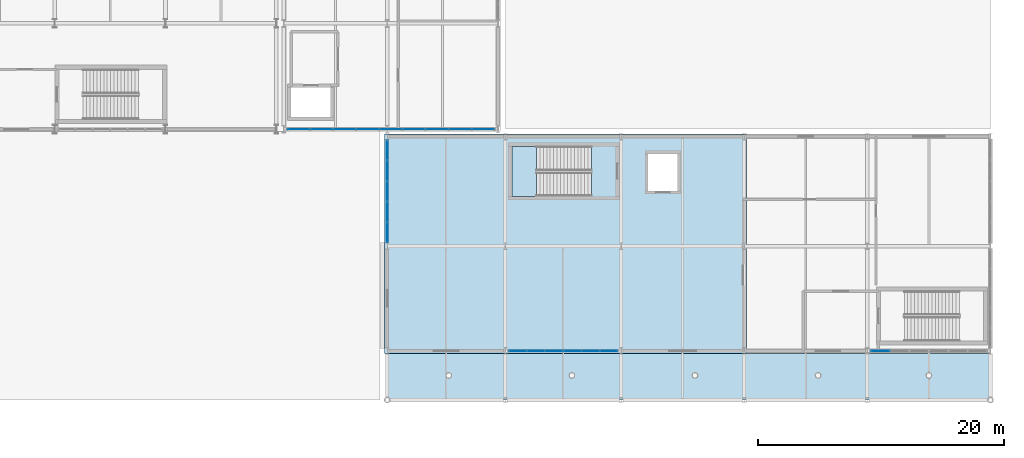
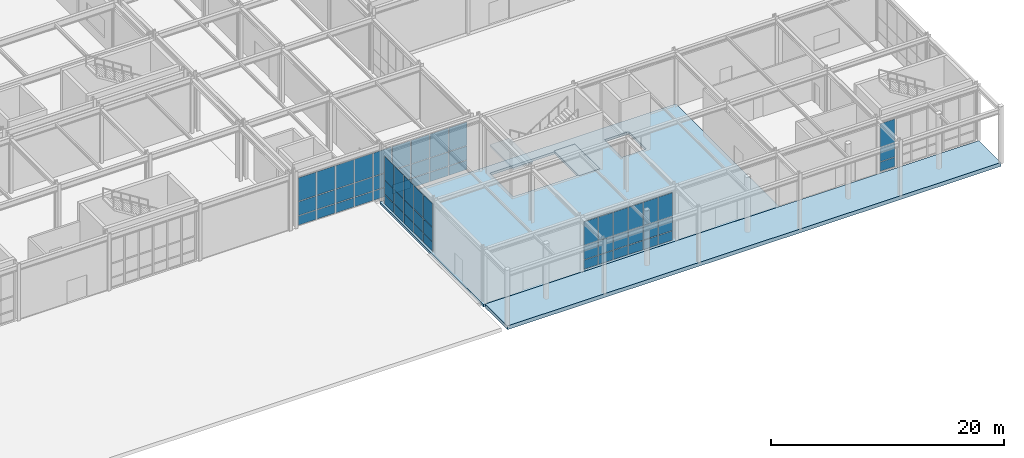
# One storey, part 111 of 146: 63 plates, 4 slabs, 5 elements without a shape of their own.
"""IFC4 building model written with IfcOpenShell, lengths in metres."""

from ifc_helpers import new_model, si_unit, direction, frame, origin, origin_2d, place, context, subcontext, project, spatial, polyline, rectangle, outline, extrude, material, layer, layer_set, type_object, element, aggregate, save


model = new_model("IFC4")

# Units and contexts
model_context = context("Model", 3, precision=1e-05, world=origin(), true_north=direction((0.0, 1.0)))
body_context = subcontext(model_context, "Body", "Model", "MODEL_VIEW")
ifc_project = project(units=[si_unit("LENGTHUNIT", "METRE"), si_unit("AREAUNIT", "SQUARE_METRE"), si_unit("VOLUMEUNIT", "CUBIC_METRE"), si_unit("PLANEANGLEUNIT", "RADIAN"), si_unit("MASSUNIT", "GRAM", prefix="KILO")], contexts=[model_context])

# Site, building, storey
site_placement = place(None, origin())
site = spatial("IfcSite", under=ifc_project, at=site_placement, CompositionType="ELEMENT")
building_placement = place(site_placement, origin())
building = spatial("IfcBuilding", under=site, at=building_placement, Name="Kaldris Quays Convention Centre", CompositionType="ELEMENT")
storey_placement = place(building_placement, origin())
storey = spatial("IfcBuildingStorey", under=building, at=storey_placement, Name="L00", CompositionType="ELEMENT", Elevation=0.0)

# Curtain wall, plates
ifc_material_1 = material(Name="Anodized aluminium AW-6060 and triple glazing", Category="aluminium")
curtain_wall_type_1 = type_object("IfcCurtainWallType", Name="UNITISED CURTAIN WALL CW05", PredefinedType="NOTDEFINED", material=ifc_material_1)
curtain_wall_1_placement = place(storey_placement, origin())
curtain_wall_1 = element("IfcCurtainWall", 1, at=curtain_wall_1_placement, inside=storey, type_object=curtain_wall_type_1, Name="L00 Unitised Curtain Wall CW05 137", PredefinedType="NOTDEFINED")
ifc_material_2 = material(Name="Triple low-E insulated glazing", Category="glass")
plate_type_1 = type_object("IfcPlateType", Name="CURTAIN GLAZING PANEL CWP1", PredefinedType="CURTAIN_PANEL", material=ifc_material_2)
plate_1_placement = place(storey_placement, frame((147.803955078125, 38.0, 0.06005859375), z_axis=(0.0, 0.0, 1.0), x_axis=(1.0, 0.0, 0.0)))
plate_1 = element("IfcPlate", 2, at=plate_1_placement, type_object=plate_type_1, Name="CW05 panel 1.1", PredefinedType="CURTAIN_PANEL", context=body_context, shape_type="SweptSolid", body=[
    extrude(rectangle(XDim=1.787841796875, YDim=0.029052734375, at=origin_2d()), origin(), (0.0, 0.0, 1.0), 0.9599609375),
])
plate_2_placement = place(storey_placement, frame((147.803955078125, 38.0, 1.080078125), z_axis=(0.0, 0.0, 1.0), x_axis=(1.0, 0.0, 0.0)))
plate_2 = element("IfcPlate", 3, at=plate_2_placement, type_object=plate_type_1, Name="CW05 panel 1.2", PredefinedType="CURTAIN_PANEL", context=body_context, shape_type="SweptSolid", body=[
    extrude(rectangle(XDim=1.787841796875, YDim=0.029052734375, at=origin_2d()), origin(), (0.0, 0.0, 1.0), 1.43896484375),
])
plate_3_placement = place(storey_placement, frame((147.803955078125, 38.0, 2.5791015625), z_axis=(0.0, 0.0, 1.0), x_axis=(1.0, 0.0, 0.0)))
plate_3 = element("IfcPlate", 4, at=plate_3_placement, type_object=plate_type_1, Name="CW05 panel 1.3", PredefinedType="CURTAIN_PANEL", context=body_context, shape_type="SweptSolid", body=[
    extrude(rectangle(XDim=1.787841796875, YDim=0.029052734375, at=origin_2d()), origin(), (0.0, 0.0, 1.0), 2.458984375),
])
plate_4_placement = place(storey_placement, frame((149.666748046875, 38.0, 0.06005859375), z_axis=(0.0, 0.0, 1.0), x_axis=(1.0, 0.0, 0.0)))
plate_4 = element("IfcPlate", 5, at=plate_4_placement, type_object=plate_type_1, Name="CW05 panel 2.1", PredefinedType="CURTAIN_PANEL", context=body_context, shape_type="SweptSolid", body=[
    extrude(rectangle(XDim=1.81787109375, YDim=0.029052734375, at=origin_2d()), origin(), (0.0, 0.0, 1.0), 0.9599609375),
])
plate_5_placement = place(storey_placement, frame((149.666748046875, 38.0, 1.080078125), z_axis=(0.0, 0.0, 1.0), x_axis=(1.0, 0.0, 0.0)))
plate_5 = element("IfcPlate", 6, at=plate_5_placement, type_object=plate_type_1, Name="CW05 panel 2.2", PredefinedType="CURTAIN_PANEL", context=body_context, shape_type="SweptSolid", body=[
    extrude(rectangle(XDim=1.81787109375, YDim=0.029052734375, at=origin_2d()), origin(), (0.0, 0.0, 1.0), 1.43896484375),
])
plate_6_placement = place(storey_placement, frame((149.666748046875, 38.0, 2.5791015625), z_axis=(0.0, 0.0, 1.0), x_axis=(1.0, 0.0, 0.0)))
plate_6 = element("IfcPlate", 7, at=plate_6_placement, type_object=plate_type_1, Name="CW05 panel 2.3", PredefinedType="CURTAIN_PANEL", context=body_context, shape_type="SweptSolid", body=[
    extrude(rectangle(XDim=1.81787109375, YDim=0.029052734375, at=origin_2d()), origin(), (0.0, 0.0, 1.0), 2.458984375),
])
plate_7_placement = place(storey_placement, frame((151.54443359375, 38.0, 0.06005859375), z_axis=(0.0, 0.0, 1.0), x_axis=(1.0, 0.0, 0.0)))
plate_7 = element("IfcPlate", 8, at=plate_7_placement, type_object=plate_type_1, Name="CW05 panel 3.1", PredefinedType="CURTAIN_PANEL", context=body_context, shape_type="SweptSolid", body=[
    extrude(rectangle(XDim=1.81787109375, YDim=0.029052734375, at=origin_2d()), origin(), (0.0, 0.0, 1.0), 0.9599609375),
])
plate_8_placement = place(storey_placement, frame((151.54443359375, 38.0, 1.080078125), z_axis=(0.0, 0.0, 1.0), x_axis=(1.0, 0.0, 0.0)))
plate_8 = element("IfcPlate", 9, at=plate_8_placement, type_object=plate_type_1, Name="CW05 panel 3.2", PredefinedType="CURTAIN_PANEL", context=body_context, shape_type="SweptSolid", body=[
    extrude(rectangle(XDim=1.81787109375, YDim=0.029052734375, at=origin_2d()), origin(), (0.0, 0.0, 1.0), 1.43896484375),
])
plate_9_placement = place(storey_placement, frame((151.54443359375, 38.0, 2.5791015625), z_axis=(0.0, 0.0, 1.0), x_axis=(1.0, 0.0, 0.0)))
plate_9 = element("IfcPlate", 10, at=plate_9_placement, type_object=plate_type_1, Name="CW05 panel 3.3", PredefinedType="CURTAIN_PANEL", context=body_context, shape_type="SweptSolid", body=[
    extrude(rectangle(XDim=1.81787109375, YDim=0.029052734375, at=origin_2d()), origin(), (0.0, 0.0, 1.0), 2.458984375),
])
plate_10_placement = place(storey_placement, frame((153.422119140625, 38.0, 0.06005859375), z_axis=(0.0, 0.0, 1.0), x_axis=(1.0, 0.0, 0.0)))
plate_10 = element("IfcPlate", 11, at=plate_10_placement, type_object=plate_type_1, Name="CW05 panel 4.1", PredefinedType="CURTAIN_PANEL", context=body_context, shape_type="SweptSolid", body=[
    extrude(rectangle(XDim=1.81787109375, YDim=0.029052734375, at=origin_2d()), origin(), (0.0, 0.0, 1.0), 0.9599609375),
])
plate_11_placement = place(storey_placement, frame((153.422119140625, 38.0, 1.080078125), z_axis=(0.0, 0.0, 1.0), x_axis=(1.0, 0.0, 0.0)))
plate_11 = element("IfcPlate", 12, at=plate_11_placement, type_object=plate_type_1, Name="CW05 panel 4.2", PredefinedType="CURTAIN_PANEL", context=body_context, shape_type="SweptSolid", body=[
    extrude(rectangle(XDim=1.81787109375, YDim=0.029052734375, at=origin_2d()), origin(), (0.0, 0.0, 1.0), 1.43896484375),
])
plate_12_placement = place(storey_placement, frame((153.422119140625, 38.0, 2.5791015625), z_axis=(0.0, 0.0, 1.0), x_axis=(1.0, 0.0, 0.0)))
plate_12 = element("IfcPlate", 13, at=plate_12_placement, type_object=plate_type_1, Name="CW05 panel 4.3", PredefinedType="CURTAIN_PANEL", context=body_context, shape_type="SweptSolid", body=[
    extrude(rectangle(XDim=1.81787109375, YDim=0.029052734375, at=origin_2d()), origin(), (0.0, 0.0, 1.0), 2.458984375),
])
plate_13_placement = place(storey_placement, frame((155.300048828125, 38.0, 0.06005859375), z_axis=(0.0, 0.0, 1.0), x_axis=(1.0, 0.0, 0.0)))
plate_13 = element("IfcPlate", 14, at=plate_13_placement, type_object=plate_type_1, Name="CW05 panel 5.1", PredefinedType="CURTAIN_PANEL", context=body_context, shape_type="SweptSolid", body=[
    extrude(rectangle(XDim=1.81787109375, YDim=0.029052734375, at=origin_2d()), origin(), (0.0, 0.0, 1.0), 0.9599609375),
])
plate_14_placement = place(storey_placement, frame((155.300048828125, 38.0, 1.080078125), z_axis=(0.0, 0.0, 1.0), x_axis=(1.0, 0.0, 0.0)))
plate_14 = element("IfcPlate", 15, at=plate_14_placement, type_object=plate_type_1, Name="CW05 panel 5.2", PredefinedType="CURTAIN_PANEL", context=body_context, shape_type="SweptSolid", body=[
    extrude(rectangle(XDim=1.81787109375, YDim=0.029052734375, at=origin_2d()), origin(), (0.0, 0.0, 1.0), 1.43896484375),
])
plate_15_placement = place(storey_placement, frame((155.300048828125, 38.0, 2.5791015625), z_axis=(0.0, 0.0, 1.0), x_axis=(1.0, 0.0, 0.0)))
plate_15 = element("IfcPlate", 16, at=plate_15_placement, type_object=plate_type_1, Name="CW05 panel 5.3", PredefinedType="CURTAIN_PANEL", context=body_context, shape_type="SweptSolid", body=[
    extrude(rectangle(XDim=1.81787109375, YDim=0.029052734375, at=origin_2d()), origin(), (0.0, 0.0, 1.0), 2.458984375),
])
plate_16_placement = place(storey_placement, frame((157.177734375, 38.0, 0.06005859375), z_axis=(0.0, 0.0, 1.0), x_axis=(1.0, 0.0, 0.0)))
plate_16 = element("IfcPlate", 17, at=plate_16_placement, type_object=plate_type_1, Name="CW05 panel 6.1", PredefinedType="CURTAIN_PANEL", context=body_context, shape_type="SweptSolid", body=[
    extrude(rectangle(XDim=1.81787109375, YDim=0.029052734375, at=origin_2d()), origin(), (0.0, 0.0, 1.0), 0.9599609375),
])
plate_17_placement = place(storey_placement, frame((157.177734375, 38.0, 1.080078125), z_axis=(0.0, 0.0, 1.0), x_axis=(1.0, 0.0, 0.0)))
plate_17 = element("IfcPlate", 18, at=plate_17_placement, type_object=plate_type_1, Name="CW05 panel 6.2", PredefinedType="CURTAIN_PANEL", context=body_context, shape_type="SweptSolid", body=[
    extrude(rectangle(XDim=1.81787109375, YDim=0.029052734375, at=origin_2d()), origin(), (0.0, 0.0, 1.0), 1.43896484375),
])
plate_18_placement = place(storey_placement, frame((157.177734375, 38.0, 2.5791015625), z_axis=(0.0, 0.0, 1.0), x_axis=(1.0, 0.0, 0.0)))
plate_18 = element("IfcPlate", 19, at=plate_18_placement, type_object=plate_type_1, Name="CW05 panel 6.3", PredefinedType="CURTAIN_PANEL", context=body_context, shape_type="SweptSolid", body=[
    extrude(rectangle(XDim=1.81787109375, YDim=0.029052734375, at=origin_2d()), origin(), (0.0, 0.0, 1.0), 2.458984375),
])
plate_19_placement = place(storey_placement, frame((159.0556640625, 38.0, 0.06005859375), z_axis=(0.0, 0.0, 1.0), x_axis=(1.0, 0.0, 0.0)))
plate_19 = element("IfcPlate", 20, at=plate_19_placement, type_object=plate_type_1, Name="CW05 panel 7.1", PredefinedType="CURTAIN_PANEL", context=body_context, shape_type="SweptSolid", body=[
    extrude(rectangle(XDim=1.81787109375, YDim=0.029052734375, at=origin_2d()), origin(), (0.0, 0.0, 1.0), 0.9599609375),
])
plate_20_placement = place(storey_placement, frame((159.0556640625, 38.0, 1.080078125), z_axis=(0.0, 0.0, 1.0), x_axis=(1.0, 0.0, 0.0)))
plate_20 = element("IfcPlate", 21, at=plate_20_placement, type_object=plate_type_1, Name="CW05 panel 7.2", PredefinedType="CURTAIN_PANEL", context=body_context, shape_type="SweptSolid", body=[
    extrude(rectangle(XDim=1.81787109375, YDim=0.029052734375, at=origin_2d()), origin(), (0.0, 0.0, 1.0), 1.43896484375),
])
plate_21_placement = place(storey_placement, frame((159.0556640625, 38.0, 2.5791015625), z_axis=(0.0, 0.0, 1.0), x_axis=(1.0, 0.0, 0.0)))
plate_21 = element("IfcPlate", 22, at=plate_21_placement, type_object=plate_type_1, Name="CW05 panel 7.3", PredefinedType="CURTAIN_PANEL", context=body_context, shape_type="SweptSolid", body=[
    extrude(rectangle(XDim=1.81787109375, YDim=0.029052734375, at=origin_2d()), origin(), (0.0, 0.0, 1.0), 2.458984375),
])
plate_22_placement = place(storey_placement, frame((160.933349609375, 38.0, 0.06005859375), z_axis=(0.0, 0.0, 1.0), x_axis=(1.0, 0.0, 0.0)))
plate_22 = element("IfcPlate", 23, at=plate_22_placement, type_object=plate_type_1, Name="CW05 panel 8.1", PredefinedType="CURTAIN_PANEL", context=body_context, shape_type="SweptSolid", body=[
    extrude(rectangle(XDim=1.81787109375, YDim=0.029052734375, at=origin_2d()), origin(), (0.0, 0.0, 1.0), 0.9599609375),
])
plate_23_placement = place(storey_placement, frame((160.933349609375, 38.0, 1.080078125), z_axis=(0.0, 0.0, 1.0), x_axis=(1.0, 0.0, 0.0)))
plate_23 = element("IfcPlate", 24, at=plate_23_placement, type_object=plate_type_1, Name="CW05 panel 8.2", PredefinedType="CURTAIN_PANEL", context=body_context, shape_type="SweptSolid", body=[
    extrude(rectangle(XDim=1.81787109375, YDim=0.029052734375, at=origin_2d()), origin(), (0.0, 0.0, 1.0), 1.43896484375),
])
plate_24_placement = place(storey_placement, frame((160.933349609375, 38.0, 2.5791015625), z_axis=(0.0, 0.0, 1.0), x_axis=(1.0, 0.0, 0.0)))
plate_24 = element("IfcPlate", 25, at=plate_24_placement, type_object=plate_type_1, Name="CW05 panel 8.3", PredefinedType="CURTAIN_PANEL", context=body_context, shape_type="SweptSolid", body=[
    extrude(rectangle(XDim=1.81787109375, YDim=0.029052734375, at=origin_2d()), origin(), (0.0, 0.0, 1.0), 2.458984375),
])
plate_25_placement = place(storey_placement, frame((162.796142578125, 38.0, 0.06005859375), z_axis=(0.0, 0.0, 1.0), x_axis=(1.0, 0.0, 0.0)))
plate_25 = element("IfcPlate", 26, at=plate_25_placement, type_object=plate_type_1, Name="CW05 panel 9.1", PredefinedType="CURTAIN_PANEL", context=body_context, shape_type="SweptSolid", body=[
    extrude(rectangle(XDim=1.787841796875, YDim=0.029052734375, at=origin_2d()), origin(), (0.0, 0.0, 1.0), 0.9599609375),
])
plate_26_placement = place(storey_placement, frame((162.796142578125, 38.0, 1.080078125), z_axis=(0.0, 0.0, 1.0), x_axis=(1.0, 0.0, 0.0)))
plate_26 = element("IfcPlate", 27, at=plate_26_placement, type_object=plate_type_1, Name="CW05 panel 9.2", PredefinedType="CURTAIN_PANEL", context=body_context, shape_type="SweptSolid", body=[
    extrude(rectangle(XDim=1.787841796875, YDim=0.029052734375, at=origin_2d()), origin(), (0.0, 0.0, 1.0), 1.43896484375),
])
plate_27_placement = place(storey_placement, frame((162.796142578125, 38.0, 2.5791015625), z_axis=(0.0, 0.0, 1.0), x_axis=(1.0, 0.0, 0.0)))
plate_27 = element("IfcPlate", 28, at=plate_27_placement, type_object=plate_type_1, Name="CW05 panel 9.3", PredefinedType="CURTAIN_PANEL", context=body_context, shape_type="SweptSolid", body=[
    extrude(rectangle(XDim=1.787841796875, YDim=0.029052734375, at=origin_2d()), origin(), (0.0, 0.0, 1.0), 2.458984375),
])
aggregate(curtain_wall_1, [plate_1, plate_2, plate_3, plate_4, plate_5, plate_6, plate_7, plate_8, plate_9, plate_10, plate_11, plate_12, plate_13, plate_14, plate_15, plate_16, plate_17, plate_18, plate_19, plate_20, plate_21, plate_22, plate_23, plate_24, plate_25, plate_26, plate_27])

curtain_wall_type_2 = type_object("IfcCurtainWallType", Name="UNITISED CURTAIN WALL CW01", PredefinedType="NOTDEFINED", material=ifc_material_1)
curtain_wall_2_placement = place(storey_placement, origin())
curtain_wall_2 = element("IfcCurtainWall", 29, at=curtain_wall_2_placement, inside=storey, type_object=curtain_wall_type_2, Name="L00 Unitised Curtain Wall CW01 180", PredefinedType="NOTDEFINED")
plate_type_2 = type_object("IfcPlateType", Name="CURTAIN GLAZING PANEL CWP4", PredefinedType="CURTAIN_PANEL", material=ifc_material_2)
plate_28_placement = place(storey_placement, frame((165.606689453125, 20.0, 0.06005859375), z_axis=(0.0, 0.0, 1.0), x_axis=(1.0, 0.0, 0.0)))
plate_28 = element("IfcPlate", 30, at=plate_28_placement, type_object=plate_type_2, Name="CW01 panel 1.1", PredefinedType="CURTAIN_PANEL", context=body_context, shape_type="SweptSolid", body=[
    extrude(rectangle(XDim=1.393310546875, YDim=0.0439453125, at=origin_2d()), origin(), (0.0, 0.0, 1.0), 0.9599609375),
])
plate_29_placement = place(storey_placement, frame((165.606689453125, 20.0, 1.080078125), z_axis=(0.0, 0.0, 1.0), x_axis=(1.0, 0.0, 0.0)))
plate_29 = element("IfcPlate", 31, at=plate_29_placement, type_object=plate_type_2, Name="CW01 panel 1.2", PredefinedType="CURTAIN_PANEL", context=body_context, shape_type="SweptSolid", body=[
    extrude(rectangle(XDim=1.393310546875, YDim=0.0439453125, at=origin_2d()), origin(), (0.0, 0.0, 1.0), 1.43994140625),
])
plate_30_placement = place(storey_placement, frame((165.606689453125, 20.0, 2.580078125), z_axis=(0.0, 0.0, 1.0), x_axis=(1.0, 0.0, 0.0)))
plate_30 = element("IfcPlate", 32, at=plate_30_placement, type_object=plate_type_2, Name="CW01 panel 1.3", PredefinedType="CURTAIN_PANEL", context=body_context, shape_type="SweptSolid", body=[
    extrude(rectangle(XDim=1.393310546875, YDim=0.0439453125, at=origin_2d()), origin(), (0.0, 0.0, 1.0), 2.4599609375),
])
plate_31_placement = place(storey_placement, frame((167.074951171875, 20.0, 0.06005859375), z_axis=(0.0, 0.0, 1.0), x_axis=(1.0, 0.0, 0.0)))
plate_31 = element("IfcPlate", 33, at=plate_31_placement, type_object=plate_type_2, Name="CW01 panel 2.1", PredefinedType="CURTAIN_PANEL", context=body_context, shape_type="SweptSolid", body=[
    extrude(rectangle(XDim=1.42333984375, YDim=0.0439453125, at=origin_2d()), origin(), (0.0, 0.0, 1.0), 0.9599609375),
])
plate_32_placement = place(storey_placement, frame((167.074951171875, 20.0, 1.080078125), z_axis=(0.0, 0.0, 1.0), x_axis=(1.0, 0.0, 0.0)))
plate_32 = element("IfcPlate", 34, at=plate_32_placement, type_object=plate_type_2, Name="CW01 panel 2.2", PredefinedType="CURTAIN_PANEL", context=body_context, shape_type="SweptSolid", body=[
    extrude(rectangle(XDim=1.42333984375, YDim=0.0439453125, at=origin_2d()), origin(), (0.0, 0.0, 1.0), 1.43994140625),
])
plate_33_placement = place(storey_placement, frame((167.074951171875, 20.0, 2.580078125), z_axis=(0.0, 0.0, 1.0), x_axis=(1.0, 0.0, 0.0)))
plate_33 = element("IfcPlate", 35, at=plate_33_placement, type_object=plate_type_2, Name="CW01 panel 2.3", PredefinedType="CURTAIN_PANEL", context=body_context, shape_type="SweptSolid", body=[
    extrude(rectangle(XDim=1.42333984375, YDim=0.0439453125, at=origin_2d()), origin(), (0.0, 0.0, 1.0), 2.4599609375),
])
plate_34_placement = place(storey_placement, frame((168.558349609375, 20.0, 0.06005859375), z_axis=(0.0, 0.0, 1.0), x_axis=(1.0, 0.0, 0.0)))
plate_34 = element("IfcPlate", 36, at=plate_34_placement, type_object=plate_type_2, Name="CW01 panel 3.1", PredefinedType="CURTAIN_PANEL", context=body_context, shape_type="SweptSolid", body=[
    extrude(rectangle(XDim=1.42333984375, YDim=0.0439453125, at=origin_2d()), origin(), (0.0, 0.0, 1.0), 0.9599609375),
])
plate_35_placement = place(storey_placement, frame((168.558349609375, 20.0, 1.080078125), z_axis=(0.0, 0.0, 1.0), x_axis=(1.0, 0.0, 0.0)))
plate_35 = element("IfcPlate", 37, at=plate_35_placement, type_object=plate_type_2, Name="CW01 panel 3.2", PredefinedType="CURTAIN_PANEL", context=body_context, shape_type="SweptSolid", body=[
    extrude(rectangle(XDim=1.42333984375, YDim=0.0439453125, at=origin_2d()), origin(), (0.0, 0.0, 1.0), 1.43994140625),
])
plate_36_placement = place(storey_placement, frame((168.558349609375, 20.0, 2.580078125), z_axis=(0.0, 0.0, 1.0), x_axis=(1.0, 0.0, 0.0)))
plate_36 = element("IfcPlate", 38, at=plate_36_placement, type_object=plate_type_2, Name="CW01 panel 3.3", PredefinedType="CURTAIN_PANEL", context=body_context, shape_type="SweptSolid", body=[
    extrude(rectangle(XDim=1.42333984375, YDim=0.0439453125, at=origin_2d()), origin(), (0.0, 0.0, 1.0), 2.4599609375),
])
plate_37_placement = place(storey_placement, frame((170.041748046875, 20.0, 0.06005859375), z_axis=(0.0, 0.0, 1.0), x_axis=(1.0, 0.0, 0.0)))
plate_37 = element("IfcPlate", 39, at=plate_37_placement, type_object=plate_type_2, Name="CW01 panel 4.1", PredefinedType="CURTAIN_PANEL", context=body_context, shape_type="SweptSolid", body=[
    extrude(rectangle(XDim=1.42333984375, YDim=0.0439453125, at=origin_2d()), origin(), (0.0, 0.0, 1.0), 0.9599609375),
])
plate_38_placement = place(storey_placement, frame((170.041748046875, 20.0, 1.080078125), z_axis=(0.0, 0.0, 1.0), x_axis=(1.0, 0.0, 0.0)))
plate_38 = element("IfcPlate", 40, at=plate_38_placement, type_object=plate_type_2, Name="CW01 panel 4.2", PredefinedType="CURTAIN_PANEL", context=body_context, shape_type="SweptSolid", body=[
    extrude(rectangle(XDim=1.42333984375, YDim=0.0439453125, at=origin_2d()), origin(), (0.0, 0.0, 1.0), 1.43994140625),
])
plate_39_placement = place(storey_placement, frame((170.041748046875, 20.0, 2.580078125), z_axis=(0.0, 0.0, 1.0), x_axis=(1.0, 0.0, 0.0)))
plate_39 = element("IfcPlate", 41, at=plate_39_placement, type_object=plate_type_2, Name="CW01 panel 4.3", PredefinedType="CURTAIN_PANEL", context=body_context, shape_type="SweptSolid", body=[
    extrude(rectangle(XDim=1.42333984375, YDim=0.0439453125, at=origin_2d()), origin(), (0.0, 0.0, 1.0), 2.4599609375),
])
plate_40_placement = place(storey_placement, frame((171.52490234375, 20.0, 0.06005859375), z_axis=(0.0, 0.0, 1.0), x_axis=(1.0, 0.0, 0.0)))
plate_40 = element("IfcPlate", 42, at=plate_40_placement, type_object=plate_type_2, Name="CW01 panel 5.1", PredefinedType="CURTAIN_PANEL", context=body_context, shape_type="SweptSolid", body=[
    extrude(rectangle(XDim=1.42333984375, YDim=0.0439453125, at=origin_2d()), origin(), (0.0, 0.0, 1.0), 0.9599609375),
])
plate_41_placement = place(storey_placement, frame((171.52490234375, 20.0, 1.080078125), z_axis=(0.0, 0.0, 1.0), x_axis=(1.0, 0.0, 0.0)))
plate_41 = element("IfcPlate", 43, at=plate_41_placement, type_object=plate_type_2, Name="CW01 panel 5.2", PredefinedType="CURTAIN_PANEL", context=body_context, shape_type="SweptSolid", body=[
    extrude(rectangle(XDim=1.42333984375, YDim=0.0439453125, at=origin_2d()), origin(), (0.0, 0.0, 1.0), 1.43994140625),
])
plate_42_placement = place(storey_placement, frame((171.52490234375, 20.0, 2.580078125), z_axis=(0.0, 0.0, 1.0), x_axis=(1.0, 0.0, 0.0)))
plate_42 = element("IfcPlate", 44, at=plate_42_placement, type_object=plate_type_2, Name="CW01 panel 5.3", PredefinedType="CURTAIN_PANEL", context=body_context, shape_type="SweptSolid", body=[
    extrude(rectangle(XDim=1.42333984375, YDim=0.0439453125, at=origin_2d()), origin(), (0.0, 0.0, 1.0), 2.4599609375),
])
plate_43_placement = place(storey_placement, frame((172.993408203125, 20.0, 0.06005859375), z_axis=(0.0, 0.0, 1.0), x_axis=(1.0, 0.0, 0.0)))
plate_43 = element("IfcPlate", 45, at=plate_43_placement, type_object=plate_type_2, Name="CW01 panel 6.1", PredefinedType="CURTAIN_PANEL", context=body_context, shape_type="SweptSolid", body=[
    extrude(rectangle(XDim=1.393310546875, YDim=0.0439453125, at=origin_2d()), origin(), (0.0, 0.0, 1.0), 0.9599609375),
])
plate_44_placement = place(storey_placement, frame((172.993408203125, 20.0, 1.080078125), z_axis=(0.0, 0.0, 1.0), x_axis=(1.0, 0.0, 0.0)))
plate_44 = element("IfcPlate", 46, at=plate_44_placement, type_object=plate_type_2, Name="CW01 panel 6.2", PredefinedType="CURTAIN_PANEL", context=body_context, shape_type="SweptSolid", body=[
    extrude(rectangle(XDim=1.393310546875, YDim=0.0439453125, at=origin_2d()), origin(), (0.0, 0.0, 1.0), 1.43994140625),
])
plate_45_placement = place(storey_placement, frame((172.993408203125, 20.0, 2.580078125), z_axis=(0.0, 0.0, 1.0), x_axis=(1.0, 0.0, 0.0)))
plate_45 = element("IfcPlate", 47, at=plate_45_placement, type_object=plate_type_2, Name="CW01 panel 6.3", PredefinedType="CURTAIN_PANEL", context=body_context, shape_type="SweptSolid", body=[
    extrude(rectangle(XDim=1.393310546875, YDim=0.0439453125, at=origin_2d()), origin(), (0.0, 0.0, 1.0), 2.4599609375),
])
aggregate(curtain_wall_2, [plate_28, plate_29, plate_30, plate_31, plate_32, plate_33, plate_34, plate_35, plate_36, plate_37, plate_38, plate_39, plate_40, plate_41, plate_42, plate_43, plate_44, plate_45])

curtain_wall_3_placement = place(storey_placement, origin())
curtain_wall_3 = element("IfcCurtainWall", 48, at=curtain_wall_3_placement, inside=storey, type_object=curtain_wall_type_2, Name="L00 Unitised Curtain Wall CW01 181", PredefinedType="NOTDEFINED")
plate_type_3 = type_object("IfcPlateType", Name="CURTAIN GLAZING PANEL CWP5", PredefinedType="CURTAIN_PANEL", material=ifc_material_2)
plate_46_placement = place(storey_placement, frame((195.056640625, 20.0, 0.06005859375), z_axis=(0.0, 0.0, 1.0), x_axis=(1.0, 0.0, 0.0)))
plate_46 = element("IfcPlate", 49, at=plate_46_placement, type_object=plate_type_3, Name="CW01 panel 1.1", PredefinedType="CURTAIN_PANEL", context=body_context, shape_type="SweptSolid", body=[
    extrude(rectangle(XDim=1.493408203125, YDim=0.049072265625, at=origin_2d()), origin(), (0.0, 0.0, 1.0), 0.9599609375),
])
plate_47_placement = place(storey_placement, frame((195.056640625, 20.0, 1.080078125), z_axis=(0.0, 0.0, 1.0), x_axis=(1.0, 0.0, 0.0)))
plate_47 = element("IfcPlate", 50, at=plate_47_placement, type_object=plate_type_3, Name="CW01 panel 1.2", PredefinedType="CURTAIN_PANEL", context=body_context, shape_type="SweptSolid", body=[
    extrude(rectangle(XDim=1.493408203125, YDim=0.049072265625, at=origin_2d()), origin(), (0.0, 0.0, 1.0), 1.43994140625),
])
plate_48_placement = place(storey_placement, frame((195.056640625, 20.0, 2.580078125), z_axis=(0.0, 0.0, 1.0), x_axis=(1.0, 0.0, 0.0)))
plate_48 = element("IfcPlate", 51, at=plate_48_placement, type_object=plate_type_3, Name="CW01 panel 1.3", PredefinedType="CURTAIN_PANEL", context=body_context, shape_type="SweptSolid", body=[
    extrude(rectangle(XDim=1.493408203125, YDim=0.049072265625, at=origin_2d()), origin(), (0.0, 0.0, 1.0), 2.4599609375),
])
aggregate(curtain_wall_3, [plate_46, plate_47, plate_48])

curtain_wall_type_3 = type_object("IfcCurtainWallType", Name="UNITISED CURTAIN WALL CW02", PredefinedType="NOTDEFINED", material=ifc_material_1)
curtain_wall_4_placement = place(storey_placement, origin())
curtain_wall_4 = element("IfcCurtainWall", 52, at=curtain_wall_4_placement, inside=storey, type_object=curtain_wall_type_3, Name="L00 Unitised Curtain Wall CW02 183", PredefinedType="NOTDEFINED")
plate_type_4 = type_object("IfcPlateType", Name="CURTAIN GLAZING PANEL CWP7", PredefinedType="CURTAIN_PANEL", material=ifc_material_2)
plate_49_placement = place(storey_placement, frame((155.0, 29.60498046875, 0.06005859375), z_axis=(0.0, 0.0, 1.0), x_axis=(0.0, 1.0, 0.0)))
plate_49 = element("IfcPlate", 53, at=plate_49_placement, type_object=plate_type_4, Name="CW02 panel 1.1", PredefinedType="CURTAIN_PANEL", context=body_context, shape_type="SweptSolid", body=[
    extrude(rectangle(XDim=1.590087890625, YDim=0.05908203125, at=origin_2d()), origin(), (0.0, 0.0, 1.0), 0.9599609375),
])
plate_50_placement = place(storey_placement, frame((155.0, 29.60498046875, 1.080078125), z_axis=(0.0, 0.0, 1.0), x_axis=(0.0, 1.0, 0.0)))
plate_50 = element("IfcPlate", 54, at=plate_50_placement, type_object=plate_type_4, Name="CW02 panel 1.2", PredefinedType="CURTAIN_PANEL", context=body_context, shape_type="SweptSolid", body=[
    extrude(rectangle(XDim=1.590087890625, YDim=0.05908203125, at=origin_2d()), origin(), (0.0, 0.0, 1.0), 1.43994140625),
])
plate_51_placement = place(storey_placement, frame((155.0, 29.60498046875, 2.580078125), z_axis=(0.0, 0.0, 1.0), x_axis=(0.0, 1.0, 0.0)))
plate_51 = element("IfcPlate", 55, at=plate_51_placement, type_object=plate_type_4, Name="CW02 panel 1.3", PredefinedType="CURTAIN_PANEL", context=body_context, shape_type="SweptSolid", body=[
    extrude(rectangle(XDim=1.590087890625, YDim=0.05908203125, at=origin_2d()), origin(), (0.0, 0.0, 1.0), 2.4599609375),
])
plate_52_placement = place(storey_placement, frame((155.0, 31.27001953125, 0.06005859375), z_axis=(0.0, 0.0, 1.0), x_axis=(0.0, 1.0, 0.0)))
plate_52 = element("IfcPlate", 56, at=plate_52_placement, type_object=plate_type_4, Name="CW02 panel 2.1", PredefinedType="CURTAIN_PANEL", context=body_context, shape_type="SweptSolid", body=[
    extrude(rectangle(XDim=1.6201171875, YDim=0.05908203125, at=origin_2d()), origin(), (0.0, 0.0, 1.0), 0.9599609375),
])
plate_53_placement = place(storey_placement, frame((155.0, 31.27001953125, 1.080078125), z_axis=(0.0, 0.0, 1.0), x_axis=(0.0, 1.0, 0.0)))
plate_53 = element("IfcPlate", 57, at=plate_53_placement, type_object=plate_type_4, Name="CW02 panel 2.2", PredefinedType="CURTAIN_PANEL", context=body_context, shape_type="SweptSolid", body=[
    extrude(rectangle(XDim=1.6201171875, YDim=0.05908203125, at=origin_2d()), origin(), (0.0, 0.0, 1.0), 1.43994140625),
])
plate_54_placement = place(storey_placement, frame((155.0, 31.27001953125, 2.580078125), z_axis=(0.0, 0.0, 1.0), x_axis=(0.0, 1.0, 0.0)))
plate_54 = element("IfcPlate", 58, at=plate_54_placement, type_object=plate_type_4, Name="CW02 panel 2.3", PredefinedType="CURTAIN_PANEL", context=body_context, shape_type="SweptSolid", body=[
    extrude(rectangle(XDim=1.6201171875, YDim=0.05908203125, at=origin_2d()), origin(), (0.0, 0.0, 1.0), 2.4599609375),
])
plate_55_placement = place(storey_placement, frame((155.0, 32.949951171875, 0.06005859375), z_axis=(0.0, 0.0, 1.0), x_axis=(0.0, 1.0, 0.0)))
plate_55 = element("IfcPlate", 59, at=plate_55_placement, type_object=plate_type_4, Name="CW02 panel 3.1", PredefinedType="CURTAIN_PANEL", context=body_context, shape_type="SweptSolid", body=[
    extrude(rectangle(XDim=1.6201171875, YDim=0.05908203125, at=origin_2d()), origin(), (0.0, 0.0, 1.0), 0.9599609375),
])
plate_56_placement = place(storey_placement, frame((155.0, 32.949951171875, 1.080078125), z_axis=(0.0, 0.0, 1.0), x_axis=(0.0, 1.0, 0.0)))
plate_56 = element("IfcPlate", 60, at=plate_56_placement, type_object=plate_type_4, Name="CW02 panel 3.2", PredefinedType="CURTAIN_PANEL", context=body_context, shape_type="SweptSolid", body=[
    extrude(rectangle(XDim=1.6201171875, YDim=0.05908203125, at=origin_2d()), origin(), (0.0, 0.0, 1.0), 1.43994140625),
])
plate_57_placement = place(storey_placement, frame((155.0, 32.949951171875, 2.580078125), z_axis=(0.0, 0.0, 1.0), x_axis=(0.0, 1.0, 0.0)))
plate_57 = element("IfcPlate", 61, at=plate_57_placement, type_object=plate_type_4, Name="CW02 panel 3.3", PredefinedType="CURTAIN_PANEL", context=body_context, shape_type="SweptSolid", body=[
    extrude(rectangle(XDim=1.6201171875, YDim=0.05908203125, at=origin_2d()), origin(), (0.0, 0.0, 1.0), 2.4599609375),
])
plate_58_placement = place(storey_placement, frame((155.0, 34.6298828125, 0.06005859375), z_axis=(0.0, 0.0, 1.0), x_axis=(0.0, 1.0, 0.0)))
plate_58 = element("IfcPlate", 62, at=plate_58_placement, type_object=plate_type_4, Name="CW02 panel 4.1", PredefinedType="CURTAIN_PANEL", context=body_context, shape_type="SweptSolid", body=[
    extrude(rectangle(XDim=1.6201171875, YDim=0.05908203125, at=origin_2d()), origin(), (0.0, 0.0, 1.0), 0.9599609375),
])
plate_59_placement = place(storey_placement, frame((155.0, 34.6298828125, 1.080078125), z_axis=(0.0, 0.0, 1.0), x_axis=(0.0, 1.0, 0.0)))
plate_59 = element("IfcPlate", 63, at=plate_59_placement, type_object=plate_type_4, Name="CW02 panel 4.2", PredefinedType="CURTAIN_PANEL", context=body_context, shape_type="SweptSolid", body=[
    extrude(rectangle(XDim=1.6201171875, YDim=0.05908203125, at=origin_2d()), origin(), (0.0, 0.0, 1.0), 1.43994140625),
])
plate_60_placement = place(storey_placement, frame((155.0, 34.6298828125, 2.580078125), z_axis=(0.0, 0.0, 1.0), x_axis=(0.0, 1.0, 0.0)))
plate_60 = element("IfcPlate", 64, at=plate_60_placement, type_object=plate_type_4, Name="CW02 panel 4.3", PredefinedType="CURTAIN_PANEL", context=body_context, shape_type="SweptSolid", body=[
    extrude(rectangle(XDim=1.6201171875, YDim=0.05908203125, at=origin_2d()), origin(), (0.0, 0.0, 1.0), 2.4599609375),
])
plate_61_placement = place(storey_placement, frame((155.0, 36.294921875, 0.06005859375), z_axis=(0.0, 0.0, 1.0), x_axis=(0.0, 1.0, 0.0)))
plate_61 = element("IfcPlate", 65, at=plate_61_placement, type_object=plate_type_4, Name="CW02 panel 5.1", PredefinedType="CURTAIN_PANEL", context=body_context, shape_type="SweptSolid", body=[
    extrude(rectangle(XDim=1.590087890625, YDim=0.05908203125, at=origin_2d()), origin(), (0.0, 0.0, 1.0), 0.9599609375),
])
plate_62_placement = place(storey_placement, frame((155.0, 36.294921875, 1.080078125), z_axis=(0.0, 0.0, 1.0), x_axis=(0.0, 1.0, 0.0)))
plate_62 = element("IfcPlate", 66, at=plate_62_placement, type_object=plate_type_4, Name="CW02 panel 5.2", PredefinedType="CURTAIN_PANEL", context=body_context, shape_type="SweptSolid", body=[
    extrude(rectangle(XDim=1.590087890625, YDim=0.05908203125, at=origin_2d()), origin(), (0.0, 0.0, 1.0), 1.43994140625),
])
plate_63_placement = place(storey_placement, frame((155.0, 36.294921875, 2.580078125), z_axis=(0.0, 0.0, 1.0), x_axis=(0.0, 1.0, 0.0)))
plate_63 = element("IfcPlate", 67, at=plate_63_placement, type_object=plate_type_4, Name="CW02 panel 5.3", PredefinedType="CURTAIN_PANEL", context=body_context, shape_type="SweptSolid", body=[
    extrude(rectangle(XDim=1.590087890625, YDim=0.05908203125, at=origin_2d()), origin(), (0.0, 0.0, 1.0), 2.4599609375),
])
aggregate(curtain_wall_4, [plate_49, plate_50, plate_51, plate_52, plate_53, plate_54, plate_55, plate_56, plate_57, plate_58, plate_59, plate_60, plate_61, plate_62, plate_63])

# Stair, slab
ifc_material_3 = material(Name="Concrete C35/45", Category="concrete")
stair_type = type_object("IfcStairType", Name="DOGLEG ESCAPE STAIR STF2", PredefinedType="TWO_STRAIGHT_RUN_STAIR", material=ifc_material_3)
stair_placement = place(storey_placement, origin())
stair = element("IfcStair", 68, at=stair_placement, inside=storey, type_object=stair_type, Name="L00 Escape Stair ST15", PredefinedType="TWO_STRAIGHT_RUN_STAIR")
ifc_layer_1 = layer(ifc_material_3, 0.205078125)
ifc_layer_set_1 = layer_set([ifc_layer_1], Name="Concrete C35/45")
slab_type_1 = type_object("IfcSlabType", Name="STAIR LANDING SLAB LS01", PredefinedType="LANDING", material=ifc_layer_set_1)
slab_1_placement = place(storey_placement, frame((0.0, 0.0, 2.794921875)))
slab_1 = element("IfcSlab", 69, at=slab_1_placement, type_object=slab_type_1, Name="STF2 landing 1", PredefinedType="LANDING", context=body_context, shape_type="SweptSolid", body=[
    extrude(outline(polyline([(167.1201171875, 36.60009765625), (165.14990234375, 36.60009765625), (165.14990234375, 32.550048828125), (167.1201171875, 32.550048828125), (167.1201171875, 36.60009765625)])), origin(), (0.0, 0.0, 1.0), 0.205078125),
])
aggregate(stair, [slab_1])

# Slabs
ifc_layer_2 = layer(ifc_material_3, 0.39990234375)
ifc_layer_set_2 = layer_set([ifc_layer_2], Name="Concrete C35/45")
slab_type_2 = type_object("IfcSlabType", Name="STRUCTURAL SLAB BS03", PredefinedType="BASESLAB", material=ifc_layer_set_2)
slab_2_placement = place(storey_placement, frame((0.0, 0.0, -0.39990234375)))
element("IfcSlab", 70, at=slab_2_placement, inside=storey, type_object=slab_type_2, Name="L00 V5 Colonnade Base Slab SLAB-L00-V5COL", PredefinedType="BASESLAB", context=body_context, shape_type="SweptSolid", body=[
    extrude(outline(polyline([(204.0, 16.0), (155.0, 16.0), (155.0, 19.798095703125), (204.0, 19.798095703125), (204.0, 16.0)])), origin(), (0.0, 0.0, 1.0), 0.39990234375),
])
ifc_layer_3 = layer(ifc_material_3, 0.27490234375)
ifc_layer_set_3 = layer_set([ifc_layer_3], Name="Concrete C35/45")
slab_type_3 = type_object("IfcSlabType", Name="STRUCTURAL SLAB FS05", PredefinedType="FLOOR", material=ifc_layer_set_3)
slab_3_placement = place(storey_placement, frame((0.0, 0.0, -0.27490234375)))
element("IfcSlab", 71, at=slab_3_placement, inside=storey, type_object=slab_type_3, Name="L00 ST15 Core Floor Landing Slab", PredefinedType="FLOOR", context=body_context, shape_type="SweptSolid", body=[
    extrude(outline(polyline([(173.669921875, 36.719970703125), (171.60009765625, 36.719970703125), (171.60009765625, 32.429931640625), (173.669921875, 32.429931640625), (173.669921875, 36.719970703125)])), origin(), (0.0, 0.0, 1.0), 0.27490234375),
])
ifc_layer_4 = layer(ifc_material_3, 0.2548828125)
ifc_layer_set_4 = layer_set([ifc_layer_4], Name="Concrete C35/45")
slab_type_4 = type_object("IfcSlabType", Name="STRUCTURAL SLAB FS06", PredefinedType="FLOOR", material=ifc_layer_set_4)
slab_4_placement = place(storey_placement, frame((0.0, 0.0, -0.2548828125)))
element("IfcSlab", 72, at=slab_4_placement, inside=storey, type_object=slab_type_4, Name="L00 V5 Cafe Slab A SLAB-L00-V5A", PredefinedType="FLOOR", context=body_context, shape_type="SweptSolid", body=[
    extrude(outline(polyline([(154.800048828125, 19.800048828125), (154.800048828125, 37.60009765625), (184.199951171875, 37.60009765625), (184.199951171875, 19.800048828125), (154.800048828125, 19.800048828125)]), holes=[polyline([(178.60009765625, 33.0), (178.60009765625, 36.0), (176.199951171875, 36.0), (176.199951171875, 33.0), (178.60009765625, 33.0)]), polyline([(171.597900390625, 36.60009765625), (165.14990234375, 36.60009765625), (165.14990234375, 32.550048828125), (171.597900390625, 32.550048828125), (171.599853515625, 32.427978515625), (173.671142578125, 32.42822265625), (173.671875, 36.720947265625), (171.599853515625, 36.721923828125), (171.597900390625, 36.60009765625)])]), origin(), (0.0, 0.0, 1.0), 0.2548828125),
])

save(model, "model.ifc")
